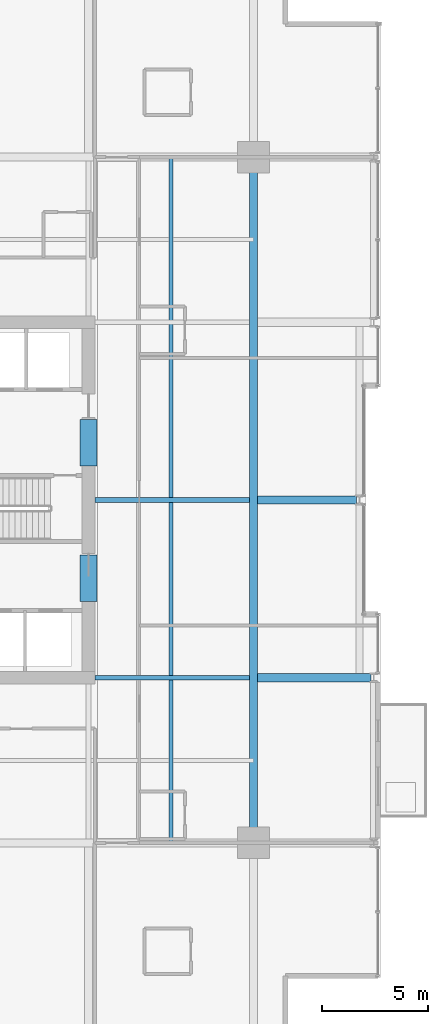
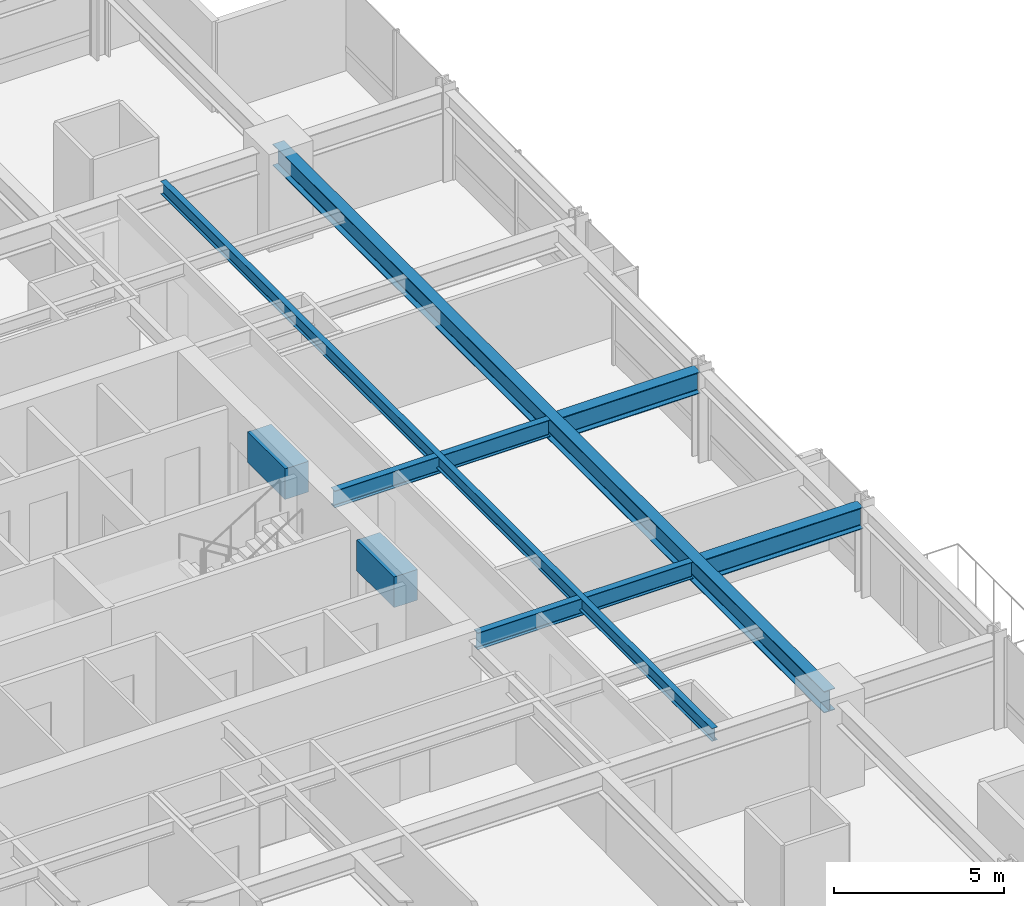
# One storey, part 14 of 34: 8 beams.
"""IFC4 building model written with IfcOpenShell, lengths in metres."""

from ifc_helpers import new_model, si_unit, direction, frame, origin, origin_2d, place, context, subcontext, project, spatial, rectangle, i_section, extrude, material, material_profile, profile_set, type_object, element, save


model = new_model("IFC4")

# Units and contexts
model_context = context("Model", 3, precision=1e-05, world=origin(), true_north=direction((0.0, 1.0)))
body_context = subcontext(model_context, "Body", "Model", "MODEL_VIEW")
ifc_project = project(units=[si_unit("LENGTHUNIT", "METRE"), si_unit("AREAUNIT", "SQUARE_METRE"), si_unit("VOLUMEUNIT", "CUBIC_METRE"), si_unit("PLANEANGLEUNIT", "RADIAN"), si_unit("MASSUNIT", "GRAM", prefix="KILO")], contexts=[model_context])

# Site, building, storey
site_placement = place(None, origin())
site = spatial("IfcSite", under=ifc_project, at=site_placement, CompositionType="ELEMENT")
building_placement = place(site_placement, origin())
building = spatial("IfcBuilding", under=site, at=building_placement, Name="Drelvath Grand Hotel", CompositionType="ELEMENT")
storey_placement = place(building_placement, frame((0.0, 0.0, 112.800048828125)))
storey = spatial("IfcBuildingStorey", under=building, at=storey_placement, Name="L28", CompositionType="ELEMENT", Elevation=112.800048828125)

# Beams
ifc_material_1 = material(Name="Steel ASTM A992 Gr 50", Category="steel")
ifc_material_profile_1 = material_profile(ifc_material_1, i_section(OverallWidth=0.19140625, OverallDepth=0.4599609375, WebThickness=0.010009765625, FlangeThickness=0.01611328125, FilletRadius=0.01611328125, at=origin_2d()), Name="W18X55")
ifc_profile_set_1 = profile_set([ifc_material_profile_1], Name="Steel ASTM A992 Gr 50")
beam_type_1 = type_object("IfcBeamType", Name="Composite Floor Joist W18X55", PredefinedType="JOIST", material=ifc_profile_set_1)
beam_1_placement = place(storey_placement, frame((12.300048828125, 10.800048828125, 3.010009765625), z_axis=(0.0, 1.0, 0.0), x_axis=(-1.0, 0.0, 0.0)))
element("IfcBeam", 1, at=beam_1_placement, inside=storey, type_object=beam_type_1, Name="L28 Wing Floor Joist J4", PredefinedType="JOIST", context=body_context, shape_type="SweptSolid", body=[
    extrude(i_section(OverallWidth=0.19140625, OverallDepth=0.4599609375, WebThickness=0.010009765625, FlangeThickness=0.01611328125, FilletRadius=0.01611328125, at=origin_2d()), origin(), (0.0, 0.0, 1.0), 32.39990234375),
])
ifc_material_2 = material(Name="Concrete f'c 70 MPa", Category="concrete")
ifc_material_profile_2 = material_profile(ifc_material_2, rectangle(XDim=0.800048828125, YDim=1.10009765625, at=origin_2d()), Name="CB800X1100")
ifc_profile_set_2 = profile_set([ifc_material_profile_2], Name="Concrete f'c 70 MPa")
beam_type_2 = type_object("IfcBeamType", Name="Core Coupling Lintel CB800X1100", PredefinedType="LINTEL", material=ifc_profile_set_2)
for number, where, z_axis, x_axis, name in (
    (2, (8.39990234375, 22.199951171875, 2.68994140625), (0.0, 1.0, 0.0), (-1.0, 0.0, 0.0), "L28 Core Coupling Lintel ES"),
    (3, (8.39990234375, 28.60009765625, 2.68994140625), (0.0, 1.0, 0.0), (-1.0, 0.0, 0.0), "L28 Core Coupling Lintel EN"),
):
    element("IfcBeam", number, at=place(storey_placement, frame(where, z_axis=z_axis, x_axis=x_axis)), inside=storey, type_object=beam_type_2, Name=name, PredefinedType="LINTEL", context=body_context, shape_type="SweptSolid", body=[
        extrude(rectangle(XDim=0.800048828125, YDim=1.10009765625, at=origin_2d()), origin(), (0.0, 0.0, 1.0), 2.199951171875),
    ])
ifc_material_profile_3 = material_profile(ifc_material_1, i_section(OverallWidth=0.228271484375, OverallDepth=0.607666015625, WebThickness=0.01123046875, FlangeThickness=0.017333984375, FilletRadius=0.02001953125, at=origin_2d()), Name="W24X76")
ifc_profile_set_3 = profile_set([ifc_material_profile_3], Name="Steel ASTM A992 Gr 50")
beam_type_3 = type_object("IfcBeamType", Name="Primary Floor Girder W24X76", PredefinedType="BEAM", material=ifc_profile_set_3)
for number, where, z_axis, x_axis, name in (
    (4, (8.699951171875, 18.60009765625, 2.93603515625), (1.0, 0.0, 0.0), (0.0, 1.0, 0.0), "L28 East Core Tie D"),
    (5, (8.699951171875, 27.0, 2.93603515625), (1.0, 0.0, 0.0), (0.0, 1.0, 0.0), "L28 East Core Tie E"),
):
    element("IfcBeam", number, at=place(storey_placement, frame(where, z_axis=z_axis, x_axis=x_axis)), inside=storey, type_object=beam_type_3, Name=name, PredefinedType="BEAM", context=body_context, shape_type="SweptSolid", body=[
        extrude(i_section(OverallWidth=0.228271484375, OverallDepth=0.607666015625, WebThickness=0.01123046875, FlangeThickness=0.017333984375, FilletRadius=0.02001953125, at=origin_2d()), origin(), (0.0, 0.0, 1.0), 7.309814453125),
    ])
ifc_material_profile_4 = material_profile(ifc_material_1, i_section(OverallWidth=0.380615234375, OverallDepth=0.773193359375, WebThickness=0.0166015625, FlangeThickness=0.027099609375, FilletRadius=0.02490234375, at=origin_2d()), Name="W30X173")
ifc_profile_set_4 = profile_set([ifc_material_profile_4], Name="Steel ASTM A992 Gr 50")
beam_type_4 = type_object("IfcBeamType", Name="Primary Floor Girder W30X173", PredefinedType="BEAM", material=ifc_profile_set_4)
beam_2_placement = place(storey_placement, frame((16.199951171875, 10.800048828125, 2.853271484375), z_axis=(0.0, 1.0, 0.0), x_axis=(-1.0, 0.0, 0.0)))
element("IfcBeam", 6, at=beam_2_placement, inside=storey, type_object=beam_type_4, Name="L28 Mega Ring Girder East", PredefinedType="BEAM", context=body_context, shape_type="SweptSolid", body=[
    extrude(i_section(OverallWidth=0.380615234375, OverallDepth=0.773193359375, WebThickness=0.0166015625, FlangeThickness=0.027099609375, FilletRadius=0.02490234375, at=origin_2d()), origin(), (0.0, 0.0, 1.0), 32.39990234375),
])
beam_3_placement = place(storey_placement, frame((16.390380859375, 18.60009765625, 2.853271484375), z_axis=(1.0, 0.0, 0.0), x_axis=(0.0, 1.0, 0.0)))
element("IfcBeam", 7, at=beam_3_placement, inside=storey, type_object=beam_type_4, Name="L28 East Wing Girder D", PredefinedType="BEAM", context=body_context, shape_type="SweptSolid", body=[
    extrude(i_section(OverallWidth=0.380615234375, OverallDepth=0.773193359375, WebThickness=0.0166015625, FlangeThickness=0.027099609375, FilletRadius=0.02490234375, at=origin_2d()), origin(), (0.0, 0.0, 1.0), 5.349609375),
])
beam_4_placement = place(storey_placement, frame((16.390380859375, 27.0, 2.853271484375), z_axis=(1.0, 0.0, 0.0), x_axis=(0.0, 1.0, 0.0)))
element("IfcBeam", 8, at=beam_4_placement, inside=storey, type_object=beam_type_4, Name="L28 East Wing Girder E", PredefinedType="BEAM", context=body_context, shape_type="SweptSolid", body=[
    extrude(i_section(OverallWidth=0.380615234375, OverallDepth=0.773193359375, WebThickness=0.0166015625, FlangeThickness=0.027099609375, FilletRadius=0.02490234375, at=origin_2d()), origin(), (0.0, 0.0, 1.0), 4.669677734375),
])

save(model, "model.ifc")
